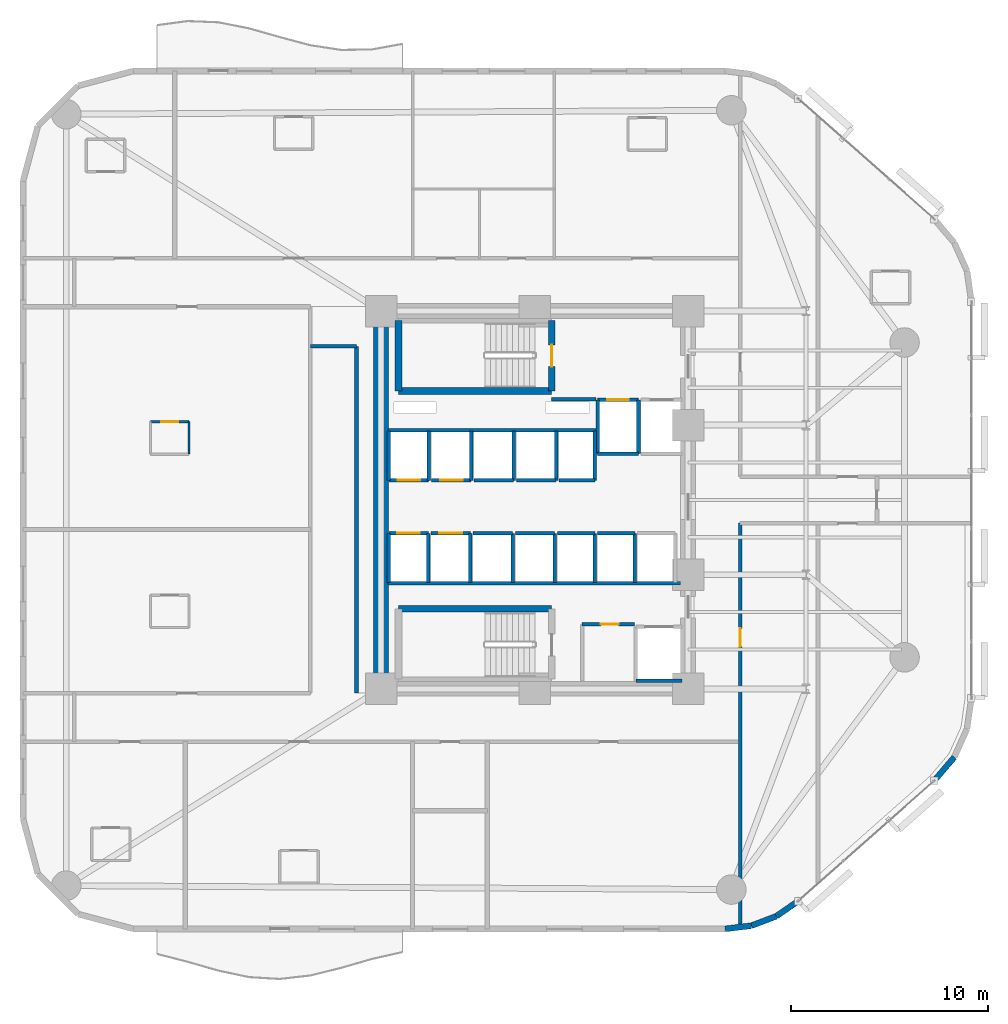
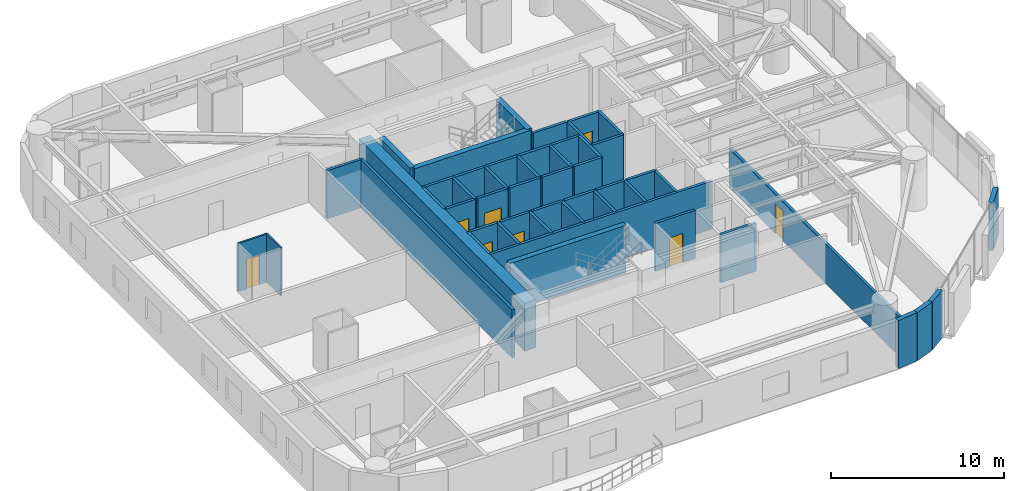
# One storey, part 11 of 16: 47 walls, 9 doors, 9 openings.
"""IFC4 building model written with IfcOpenShell, lengths in metres."""

import ifcopenshell
import ifcopenshell.guid

model = None  # the IFC model being written
_history = None  # IfcOwnerHistory: only IFC2X3 demands one
_inside = {}  # id of a spatial element -> (the spatial element, [elements in it])
_under = {}  # id of a project, library or spatial element -> (it, [spatial elements below it])
_declared = {}  # id of a project -> (the project, [libraries it declares])
_typed = {}  # id of a type object -> (the type object, [elements of that type])
_made_of = {}  # id of a material, layer set ... -> (it, [elements and type objects made of it])


def new_model(schema):
    """Start an empty IFC model of exactly this schema.

    Asked for "IFC4X3", IfcOpenShell would pick the latest addendum, in which some entities
    have other attributes; the version numbers below select the first issue.
    IFC2X3 requires an IfcOwnerHistory on every rooted entity: one is made here for all.
    """
    global model, _history
    if schema == "IFC4X3":
        model = ifcopenshell.file(schema_version=(4, 3, 0, 0))
    else:
        model = ifcopenshell.file(schema=schema)
    _inside.clear()
    _under.clear()
    _declared.clear()
    _typed.clear()
    _made_of.clear()
    _history = None
    if model.schema == "IFC2X3":
        org = make("IfcOrganization", Name="unknown")
        user = make(
            "IfcPersonAndOrganization",
            ThePerson=make("IfcPerson", FamilyName="unknown"),
            TheOrganization=org,
        )
        app = make(
            "IfcApplication",
            ApplicationDeveloper=org,
            Version="unknown",
            ApplicationFullName="unknown",
            ApplicationIdentifier="unknown",
        )
        _history = make(
            "IfcOwnerHistory",
            OwningUser=user,
            OwningApplication=app,
            ChangeAction="ADDED",
            CreationDate=0,
        )
    return model


def make(cls, **values):
    """One entity of the class cls with the attributes given. An attribute that is None is left unset."""
    return model.create_entity(
        cls, **{name: value for name, value in values.items() if value is not None}
    )


def rooted(cls, **values):
    """An entity with a GlobalId (a new one), such as an element, a storey or a relation."""
    return make(cls, GlobalId=ifcopenshell.guid.new(), OwnerHistory=_history, **values)


def si_unit(unit_type, name, prefix=None):
    """IfcSIUnit, for example si_unit("LENGTHUNIT", "METRE", prefix="MILLI")."""
    return make("IfcSIUnit", UnitType=unit_type, Prefix=prefix, Name=name)


def assignment(units):
    """IfcUnitAssignment: the units of a project."""
    return None if units is None else make("IfcUnitAssignment", Units=units)


def point(xyz):
    """IfcCartesianPoint."""
    return None if xyz is None else make("IfcCartesianPoint", Coordinates=xyz)


def direction(xyz):
    """IfcDirection."""
    return None if xyz is None else make("IfcDirection", DirectionRatios=xyz)


def frame(location, z_axis=None, x_axis=None):
    """IfcAxis2Placement3D, a coordinate frame: its origin and axes. An axis left out is left unset."""
    return make(
        "IfcAxis2Placement3D",
        Location=point(location),
        Axis=direction(z_axis),
        RefDirection=direction(x_axis),
    )


def frame_2d(location, x_axis=None):
    """IfcAxis2Placement2D, a coordinate frame in the plane: its origin and x axis."""
    return make(
        "IfcAxis2Placement2D", Location=point(location), RefDirection=direction(x_axis)
    )


def origin():
    """The frame at (0, 0, 0) with its axes left unset."""
    return frame((0.0, 0.0, 0.0))


def place(relative_to, where):
    """IfcLocalPlacement: puts the frame where relative to a parent placement (None: the world)."""
    return make(
        "IfcLocalPlacement", PlacementRelTo=relative_to, RelativePlacement=where
    )


def context(
    kind, dimensions, precision=None, world=None, true_north=None, identifier=None
):
    """IfcGeometricRepresentationContext, for example the 3D "Model" context."""
    return make(
        "IfcGeometricRepresentationContext",
        ContextIdentifier=identifier,
        ContextType=kind,
        CoordinateSpaceDimension=dimensions,
        Precision=precision,
        WorldCoordinateSystem=world,
        TrueNorth=true_north,
    )


def subcontext(parent, identifier, kind, view, scale=None):
    """IfcGeometricRepresentationSubContext, for example "Body" below "Model"."""
    return make(
        "IfcGeometricRepresentationSubContext",
        ContextIdentifier=identifier,
        ContextType=kind,
        ParentContext=parent,
        TargetScale=scale,
        TargetView=view,
    )


def project(units=None, contexts=None):
    """IfcProject with its units and contexts."""
    return rooted(
        "IfcProject",
        Name="project",
        RepresentationContexts=contexts,
        UnitsInContext=assignment(units),
    )


def spatial(cls, under=None, at=None, **own):
    """A site, building, storey or space (cls), placed at a placement, below another one or the project."""
    s = rooted(cls, ObjectPlacement=at, **own)
    if under is not None:
        _under.setdefault(under.id(), (under, []))[1].append(s)
    return s


def profile(cls, at=None, kind="AREA", **sizes):
    """A parametric profile (cls). Its sizes go by their IFC names, for example OverallWidth=200.0."""
    return make(cls, ProfileType=kind, Position=at, **sizes)


def rectangle(**sizes):
    """IfcRectangleProfileDef."""
    return profile("IfcRectangleProfileDef", **sizes)


def extrude(swept, where, along, depth):
    """IfcExtrudedAreaSolid: the profile swept, set in the frame where, extruded along a direction by depth."""
    return make(
        "IfcExtrudedAreaSolid",
        SweptArea=swept,
        Position=where,
        ExtrudedDirection=direction(along),
        Depth=depth,
    )


def shape(context_of_items, identifier, shape_type, items):
    """IfcShapeRepresentation: the items that make up one representation, for example the "Body"."""
    return make(
        "IfcShapeRepresentation",
        ContextOfItems=context_of_items,
        RepresentationIdentifier=identifier,
        RepresentationType=shape_type,
        Items=items,
    )


def material(Name=None, Category=None):
    """IfcMaterial."""
    return make("IfcMaterial", Name=Name, Category=Category)


def layer(
    of_material, thickness, ventilated=None, Name=None, Category=None, Priority=None
):
    """IfcMaterialLayer: one layer of a wall or slab, of a material (None: an air gap)."""
    return make(
        "IfcMaterialLayer",
        Material=of_material,
        LayerThickness=thickness,
        IsVentilated=ventilated,
        Name=Name,
        Category=Category,
        Priority=Priority,
    )


def layer_set(layers, Name=None):
    """IfcMaterialLayerSet."""
    return make("IfcMaterialLayerSet", MaterialLayers=layers, LayerSetName=Name)


def made_of(thing, what):
    """Note that an element or type object is made of a material, layer set ...; save() writes the relation."""
    if what is not None:
        _made_of.setdefault(what.id(), (what, []))[1].append(thing)
    return thing


def type_object(cls, material=None, **own):
    """A type object (cls), such as IfcWallType, which elements share."""
    return made_of(rooted(cls, **own), material)


def element(
    cls,
    number,
    at=None,
    inside=None,
    cuts=None,
    type_object=None,
    material=None,
    context=None,
    identifier="Body",
    shape_type=None,
    held_by="IfcProductDefinitionShape",
    body=None,
    shapes=None,
    **own,
):
    """One element of the class cls, such as IfcWall. Its Tag is "e" and its number.

    at: its placement. inside: the storey or other place that contains it. cuts: it is an
    opening in that element (IfcRelVoidsElement). A single representation is given by context,
    identifier, shape_type and body (its items); several are given by shapes. held_by: the class
    of the entity that holds the representations. save() writes the other relations.
    """
    e = rooted(cls, Tag="e%d" % number, ObjectPlacement=at, **own)
    if body is not None:
        shapes = [shape(context, identifier, shape_type, body)]
    if shapes is not None:
        e.Representation = make(held_by, Representations=shapes)
    if inside is not None:
        _inside.setdefault(inside.id(), (inside, []))[1].append(e)
    if cuts is not None:
        rooted(
            "IfcRelVoidsElement", RelatingBuildingElement=cuts, RelatedOpeningElement=e
        )
    if type_object is not None:
        _typed.setdefault(type_object.id(), (type_object, []))[1].append(e)
    return made_of(e, material)


def fill(opening, filler):
    """IfcRelFillsElement: the door or window that sits in an opening."""
    return rooted(
        "IfcRelFillsElement",
        RelatingOpeningElement=opening,
        RelatedBuildingElement=filler,
    )


def aggregate(whole, parts):
    """IfcRelAggregates: a whole, such as a stair, and the parts it consists of."""
    return rooted("IfcRelAggregates", RelatingObject=whole, RelatedObjects=parts)


def save(model, path):
    """Write the relations noted so far, then the file.

    IfcRelAggregates (storeys below a building ...), IfcRelContainedInSpatialStructure (elements
    in a storey), IfcRelDefinesByType, IfcRelAssociatesMaterial and IfcRelDeclares: one each for
    every whole, place, type object, material and project.
    """
    for whole, parts in _under.values():
        aggregate(whole, parts)
    for where, things in _inside.values():
        rooted(
            "IfcRelContainedInSpatialStructure",
            RelatedElements=things,
            RelatingStructure=where,
        )
    for kind, things in _typed.values():
        rooted("IfcRelDefinesByType", RelatedObjects=things, RelatingType=kind)
    for what, things in _made_of.values():
        rooted("IfcRelAssociatesMaterial", RelatedObjects=things, RelatingMaterial=what)
    for by, libraries in _declared.values():
        rooted("IfcRelDeclares", RelatingContext=by, RelatedDefinitions=libraries)
    model.write(path)


model = new_model("IFC4")

# Units and contexts
model_context = context("Model", 3, precision=1e-05, world=origin(), true_north=direction((0.0, 1.0)))
body_context = subcontext(model_context, "Body", "Model", "MODEL_VIEW")
ifc_project = project(units=[si_unit("LENGTHUNIT", "METRE"), si_unit("AREAUNIT", "SQUARE_METRE"), si_unit("VOLUMEUNIT", "CUBIC_METRE"), si_unit("PLANEANGLEUNIT", "RADIAN"), si_unit("MASSUNIT", "GRAM", prefix="KILO")], contexts=[model_context])

# Site, building, storey
site_placement = place(None, origin())
site = spatial("IfcSite", under=ifc_project, at=site_placement, CompositionType="ELEMENT")
building_placement = place(site_placement, origin())
building = spatial("IfcBuilding", under=site, at=building_placement, Name="An Khanh Terracotta Commons", CompositionType="ELEMENT")
storey_placement = place(building_placement, frame((0.0, 0.0, 28.800048828125)))
storey = spatial("IfcBuildingStorey", under=building, at=storey_placement, Name="L07", CompositionType="ELEMENT", Elevation=28.800048828125)

# Walls
ifc_material_1 = material(Name="Concrete C70/85", Category="concrete")
ifc_layer_1 = layer(ifc_material_1, 0.75, Name="Concrete C70/85")
ifc_layer_set_1 = layer_set([ifc_layer_1], Name="Concrete C70/85")
wall_type_1 = type_object("IfcWallType", Name="WALL-CORE-750", PredefinedType="SHEAR", material=ifc_layer_set_1)
wall_1_placement = place(storey_placement, frame((21.60009765625, 14.39990234375, 0.0), z_axis=(0.0, 0.0, 1.0), x_axis=(0.0, 1.0, 0.0)))
element("IfcWall", 1, at=wall_1_placement, inside=storey, type_object=wall_type_1, Name="L07 Core Wall CWALL-L07-W", PredefinedType="SHEAR", context=body_context, shape_type="SweptSolid", body=[
    extrude(rectangle(XDim=19.2001953125, YDim=0.75, at=frame_2d((9.60009765625, 0.0))), origin(), (0.0, 0.0, 1.0), 3.39990234375),
])
ifc_material_2 = material(Name="Fire-Rated Gypsum Board on Steel Stud", Category="steel")
ifc_layer_2 = layer(ifc_material_2, 0.179931640625, Name="Fire-Rated Gypsum Board on Steel Stud")
ifc_layer_set_2 = layer_set([ifc_layer_2], Name="Fire-Rated Gypsum Board on Steel Stud")
wall_type_2 = type_object("IfcWallType", Name="WALL-CORR-180", PredefinedType="PARTITIONING", material=ifc_layer_set_2)
wall_2_placement = place(storey_placement, frame((30.27001953125, 29.1201171875, 0.0), z_axis=(0.0, 0.0, 1.0), x_axis=(1.0, 0.0, 0.0)))
element("IfcWall", 2, at=wall_2_placement, inside=storey, type_object=wall_type_2, Name="L07 Core Wall FFLW-L07-S", PredefinedType="PARTITIONING", context=body_context, shape_type="SweptSolid", body=[
    extrude(rectangle(XDim=2.239990234375, YDim=0.179931640625, at=frame_2d((1.1201171875, 0.0))), origin(), (0.0, 0.0, 1.0), 3.39990234375),
])
wall_3_placement = place(storey_placement, frame((21.949951171875, 27.5400390625, 0.0), z_axis=(0.0, 0.0, 1.0), x_axis=(1.0, 0.0, 0.0)))
element("IfcWall", 3, at=wall_3_placement, inside=storey, type_object=wall_type_2, Name="L07 Core Wall RSRW-L07-S", PredefinedType="PARTITIONING", context=body_context, shape_type="SweptSolid", body=[
    extrude(rectangle(XDim=10.56005859375, YDim=0.179931640625, at=frame_2d((5.280029296875, 0.0))), origin(), (0.0, 0.0, 1.0), 3.39990234375),
])
wall_4_placement = place(storey_placement, frame((21.949951171875, 19.760009765625, 0.0), z_axis=(0.0, 0.0, 1.0), x_axis=(1.0, 0.0, 0.0)))
element("IfcWall", 4, at=wall_4_placement, inside=storey, type_object=wall_type_2, Name="L07 Core Wall SVW-L07-N", PredefinedType="PARTITIONING", context=body_context, shape_type="SweptSolid", body=[
    extrude(rectangle(XDim=14.8701171875, YDim=0.179931640625, at=frame_2d((7.43505859375, 0.0))), origin(), (0.0, 0.0, 1.0), 3.39990234375),
])

# Wall, opening, door
wall_5_placement = place(storey_placement, frame((31.820068359375, 17.679931640625, 0.0), z_axis=(0.0, 0.0, 1.0), x_axis=(1.0, 0.0, 0.0)))
wall_5 = element("IfcWall", 5, at=wall_5_placement, inside=storey, type_object=wall_type_2, Name="L07 Core Wall SSVCW-L07-N", PredefinedType="PARTITIONING", context=body_context, shape_type="SweptSolid", body=[
    extrude(rectangle(XDim=2.659912109375, YDim=0.179931640625, at=frame_2d((1.330078125, 0.0))), origin(), (0.0, 0.0, 1.0), 3.39990234375),
])
opening_1_placement = place(wall_5_placement, frame((0.949951171875, 0.0, 0.0)))
opening_1 = element("IfcOpeningElement", 6, at=opening_1_placement, cuts=wall_5, Name="Opening D-SV", PredefinedType="OPENING", context=body_context, shape_type="SweptSolid", body=[
    extrude(rectangle(XDim=0.89990234375, YDim=2.050048828125, at=frame_2d((0.449951171875, 1.02490234375))), frame((0.0, 0.099853515625, 0.0), z_axis=(0.0, -1.0, 0.0), x_axis=(1.0, 0.0, 0.0)), (0.0, 0.0, 1.0), 0.199951171875),
])
ifc_material_3 = material(Name="Fire-Rated Powder-Coated Steel Door", Category="steel")
door_type_1 = type_object("IfcDoorType", Name="DOOR-SERV-900", OperationType="NOTDEFINED", PredefinedType="DOOR", material=ifc_material_3)
door_1_placement = place(opening_1_placement, origin())
door_1 = element("IfcDoor", 7, at=door_1_placement, inside=storey, type_object=door_type_1, Name="L07 Electrical Switch Cupboard Door", OperationType="SINGLE_SWING_RIGHT", OverallHeight=2.050048828125, OverallWidth=0.89990234375, PredefinedType="DOOR", context=body_context, shape_type="SweptSolid", body=[
    extrude(rectangle(XDim=0.89990234375, YDim=2.050048828125, at=frame_2d((0.449951171875, 1.02490234375))), frame((0.0, 0.02490234375, 0.0), z_axis=(0.0, -1.0, 0.0), x_axis=(1.0, 0.0, 0.0)), (0.0, 0.0, 1.0), 0.050048828125),
])
fill(opening_1, door_1)

wall_6_placement = place(storey_placement, frame((32.60009765625, 29.080078125, 0.0), z_axis=(0.0, 0.0, 1.0), x_axis=(1.0, 0.0, 0.0)))
wall_6 = element("IfcWall", 8, at=wall_6_placement, inside=storey, type_object=wall_type_2, Name="L07 Core Wall LSH-L07-FFL-01-N", PredefinedType="PARTITIONING", context=body_context, shape_type="SweptSolid", body=[
    extrude(rectangle(XDim=2.079833984375, YDim=0.179931640625, at=frame_2d((1.0400390625, 0.0))), origin(), (0.0, 0.0, 1.0), 3.39990234375),
])
opening_2_placement = place(wall_6_placement, frame((0.489990234375, 0.0, 0.0)))
opening_2 = element("IfcOpeningElement", 9, at=opening_2_placement, cuts=wall_6, Name="Opening LD-FFL-01-L07", PredefinedType="OPENING", context=body_context, shape_type="SweptSolid", body=[
    extrude(rectangle(XDim=1.10009765625, YDim=2.199951171875, at=frame_2d((0.550048828125, 1.10009765625))), frame((0.0, 0.099853515625, 0.0), z_axis=(0.0, -1.0, 0.0), x_axis=(1.0, 0.0, 0.0)), (0.0, 0.0, 1.0), 0.199951171875),
])
ifc_material_4 = material(Name="Brushed Stainless Steel Fire Landing Door", Category="steel")
door_type_2 = type_object("IfcDoorType", Name="DOOR-LD-FFL-1100", OperationType="NOTDEFINED", PredefinedType="DOOR", material=ifc_material_4)
door_2_placement = place(opening_2_placement, origin())
door_2 = element("IfcDoor", 10, at=door_2_placement, inside=storey, type_object=door_type_2, Name="L07 Lift FFL-01 Sliding Landing Door", OperationType="DOUBLE_DOOR_SLIDING", OverallHeight=2.199951171875, OverallWidth=1.10009765625, PredefinedType="DOOR", context=body_context, shape_type="SweptSolid", body=[
    extrude(rectangle(XDim=1.10009765625, YDim=2.199951171875, at=frame_2d((0.550048828125, 1.10009765625))), frame((0.0, 0.02490234375, 0.0), z_axis=(0.0, -1.0, 0.0), x_axis=(1.0, 0.0, 0.0)), (0.0, 0.0, 1.0), 0.050048828125),
])
fill(opening_2, door_2)

# Walls
wall_7_placement = place(storey_placement, frame((34.679931640625, 26.35009765625, 0.0), z_axis=(0.0, 0.0, 1.0), x_axis=(-1.0, 0.0, 0.0)))
element("IfcWall", 11, at=wall_7_placement, inside=storey, type_object=wall_type_2, Name="L07 Core Wall LSH-L07-FFL-01-S", PredefinedType="PARTITIONING", context=body_context, shape_type="SweptSolid", body=[
    extrude(rectangle(XDim=2.079833984375, YDim=0.179931640625, at=frame_2d((1.0400390625, 0.0))), origin(), (0.0, 0.0, 1.0), 3.39990234375),
])
for number, where, z_axis, x_axis, name in (
    (12, (34.679931640625, 26.35009765625, 0.0), (0.0, 0.0, 1.0), (0.0, 1.0, 0.0), "L07 Core Wall LSH-L07-FFL-01-E"),
    (13, (32.60009765625, 29.080078125, 0.0), (0.0, 0.0, 1.0), (0.0, -1.0, 0.0), "L07 Core Wall LSH-L07-FFL-01-W"),
):
    element("IfcWall", number, at=place(storey_placement, frame(where, z_axis=z_axis, x_axis=x_axis)), inside=storey, type_object=wall_type_2, Name=name, PredefinedType="PARTITIONING", context=body_context, shape_type="SweptSolid", body=[
        extrude(rectangle(XDim=2.72998046875, YDim=0.179931640625, at=frame_2d((1.364990234375, 0.0))), origin(), (0.0, 0.0, 1.0), 3.39990234375),
    ])
wall_8_placement = place(storey_placement, frame((36.89990234375, 14.800048828125, 0.0), z_axis=(0.0, 0.0, 1.0), x_axis=(-1.0, 0.0, 0.0)))
element("IfcWall", 14, at=wall_8_placement, inside=storey, type_object=wall_type_2, Name="L07 Core Wall LSH-L07-SVL-01-S", PredefinedType="PARTITIONING", context=body_context, shape_type="SweptSolid", body=[
    extrude(rectangle(XDim=2.349853515625, YDim=0.179931640625, at=frame_2d((1.1748046875, 0.0))), origin(), (0.0, 0.0, 1.0), 3.39990234375),
])

# Wall, opening, door
wall_9_placement = place(storey_placement, frame((24.02001953125, 25.0, 0.0), z_axis=(0.0, 0.0, 1.0), x_axis=(-1.0, 0.0, 0.0)))
wall_9 = element("IfcWall", 15, at=wall_9_placement, inside=storey, type_object=wall_type_2, Name="L07 Core Wall LSH-L07-PL-L1-S", PredefinedType="PARTITIONING", context=body_context, shape_type="SweptSolid", body=[
    extrude(rectangle(XDim=2.02001953125, YDim=0.179931640625, at=frame_2d((1.010009765625, 0.0))), origin(), (0.0, 0.0, 1.0), 3.39990234375),
])
opening_3_placement = place(wall_9_placement, frame((0.43505859375, 0.0, 0.0)))
opening_3 = element("IfcOpeningElement", 16, at=opening_3_placement, cuts=wall_9, Name="Opening LD-PL-L1-L07", PredefinedType="OPENING", context=body_context, shape_type="SweptSolid", body=[
    extrude(rectangle(XDim=1.14990234375, YDim=2.199951171875, at=frame_2d((0.574951171875, 1.10009765625))), frame((0.0, 0.099853515625, 0.0), z_axis=(0.0, -1.0, 0.0), x_axis=(1.0, 0.0, 0.0)), (0.0, 0.0, 1.0), 0.199951171875),
])
ifc_material_5 = material(Name="Brushed Stainless Steel Passenger Landing Door", Category="steel")
door_type_3 = type_object("IfcDoorType", Name="DOOR-LD-PAX-1150", OperationType="NOTDEFINED", PredefinedType="DOOR", material=ifc_material_5)
door_3_placement = place(opening_3_placement, origin())
door_3 = element("IfcDoor", 17, at=door_3_placement, inside=storey, type_object=door_type_3, Name="L07 Lift PL-L1 Sliding Landing Door", OperationType="DOUBLE_DOOR_SLIDING", OverallHeight=2.199951171875, OverallWidth=1.14990234375, PredefinedType="DOOR", context=body_context, shape_type="SweptSolid", body=[
    extrude(rectangle(XDim=1.14990234375, YDim=2.199951171875, at=frame_2d((0.574951171875, 1.10009765625))), frame((0.0, 0.02490234375, 0.0), z_axis=(0.0, -1.0, 0.0), x_axis=(1.0, 0.0, 0.0)), (0.0, 0.0, 1.0), 0.050048828125),
])
fill(opening_3, door_3)

# Walls
for number, where, z_axis, x_axis, name in (
    (18, (24.02001953125, 25.0, 0.0), (0.0, 0.0, 1.0), (0.0, 1.0, 0.0), "L07 Core Wall LSH-L07-PL-L1-E"),
    (19, (22.0, 27.5, 0.0), (0.0, 0.0, 1.0), (0.0, -1.0, 0.0), "L07 Core Wall LSH-L07-PL-L1-W"),
):
    element("IfcWall", number, at=place(storey_placement, frame(where, z_axis=z_axis, x_axis=x_axis)), inside=storey, type_object=wall_type_2, Name=name, PredefinedType="PARTITIONING", context=body_context, shape_type="SweptSolid", body=[
        extrude(rectangle(XDim=2.5, YDim=0.179931640625, at=frame_2d((1.25, 0.0))), origin(), (0.0, 0.0, 1.0), 3.39990234375),
    ])

# Wall, opening, door
wall_10_placement = place(storey_placement, frame((26.179931640625, 25.0, 0.0), z_axis=(0.0, 0.0, 1.0), x_axis=(-1.0, 0.0, 0.0)))
wall_10 = element("IfcWall", 20, at=wall_10_placement, inside=storey, type_object=wall_type_2, Name="L07 Core Wall LSH-L07-PL-L2-S", PredefinedType="PARTITIONING", context=body_context, shape_type="SweptSolid", body=[
    extrude(rectangle(XDim=2.02001953125, YDim=0.179931640625, at=frame_2d((1.010009765625, 0.0))), origin(), (0.0, 0.0, 1.0), 3.39990234375),
])
opening_4_placement = place(wall_10_placement, frame((0.43505859375, 0.0, 0.0)))
opening_4 = element("IfcOpeningElement", 21, at=opening_4_placement, cuts=wall_10, Name="Opening LD-PL-L2-L07", PredefinedType="OPENING", context=body_context, shape_type="SweptSolid", body=[
    extrude(rectangle(XDim=1.14990234375, YDim=2.199951171875, at=frame_2d((0.574951171875, 1.10009765625))), frame((0.0, 0.099853515625, 0.0), z_axis=(0.0, -1.0, 0.0), x_axis=(1.0, 0.0, 0.0)), (0.0, 0.0, 1.0), 0.199951171875),
])
door_4_placement = place(opening_4_placement, origin())
door_4 = element("IfcDoor", 22, at=door_4_placement, inside=storey, type_object=door_type_3, Name="L07 Lift PL-L2 Sliding Landing Door", OperationType="DOUBLE_DOOR_SLIDING", OverallHeight=2.199951171875, OverallWidth=1.14990234375, PredefinedType="DOOR", context=body_context, shape_type="SweptSolid", body=[
    extrude(rectangle(XDim=1.14990234375, YDim=2.199951171875, at=frame_2d((0.574951171875, 1.10009765625))), frame((0.0, 0.02490234375, 0.0), z_axis=(0.0, -1.0, 0.0), x_axis=(1.0, 0.0, 0.0)), (0.0, 0.0, 1.0), 0.050048828125),
])
fill(opening_4, door_4)

# Wall
wall_11_placement = place(storey_placement, frame((26.179931640625, 25.0, 0.0), z_axis=(0.0, 0.0, 1.0), x_axis=(0.0, 1.0, 0.0)))
element("IfcWall", 23, at=wall_11_placement, inside=storey, type_object=wall_type_2, Name="L07 Core Wall LSH-L07-PL-L2-E", PredefinedType="PARTITIONING", context=body_context, shape_type="SweptSolid", body=[
    extrude(rectangle(XDim=2.5, YDim=0.179931640625, at=frame_2d((1.25, 0.0))), origin(), (0.0, 0.0, 1.0), 3.39990234375),
])

# Wall, opening, door
wall_12_placement = place(storey_placement, frame((22.0, 22.300048828125, 0.0), z_axis=(0.0, 0.0, 1.0), x_axis=(1.0, 0.0, 0.0)))
wall_12 = element("IfcWall", 24, at=wall_12_placement, inside=storey, type_object=wall_type_2, Name="L07 Core Wall LSH-L07-PL-L3-N", PredefinedType="PARTITIONING", context=body_context, shape_type="SweptSolid", body=[
    extrude(rectangle(XDim=2.0, YDim=0.179931640625, at=frame_2d((1.0, 0.0))), origin(), (0.0, 0.0, 1.0), 3.39990234375),
])
opening_5_placement = place(wall_12_placement, frame((0.425048828125, 0.0, 0.0)))
opening_5 = element("IfcOpeningElement", 25, at=opening_5_placement, cuts=wall_12, Name="Opening LD-PL-L3-L07", PredefinedType="OPENING", context=body_context, shape_type="SweptSolid", body=[
    extrude(rectangle(XDim=1.14990234375, YDim=2.199951171875, at=frame_2d((0.574951171875, 1.10009765625))), frame((0.0, 0.099853515625, 0.0), z_axis=(0.0, -1.0, 0.0), x_axis=(1.0, 0.0, 0.0)), (0.0, 0.0, 1.0), 0.199951171875),
])
door_5_placement = place(opening_5_placement, origin())
door_5 = element("IfcDoor", 26, at=door_5_placement, inside=storey, type_object=door_type_3, Name="L07 Lift PL-L3 Sliding Landing Door", OperationType="DOUBLE_DOOR_SLIDING", OverallHeight=2.199951171875, OverallWidth=1.14990234375, PredefinedType="DOOR", context=body_context, shape_type="SweptSolid", body=[
    extrude(rectangle(XDim=1.14990234375, YDim=2.199951171875, at=frame_2d((0.574951171875, 1.10009765625))), frame((0.0, 0.02490234375, 0.0), z_axis=(0.0, -1.0, 0.0), x_axis=(1.0, 0.0, 0.0)), (0.0, 0.0, 1.0), 0.050048828125),
])
fill(opening_5, door_5)

# Walls
for number, where, z_axis, x_axis, name in (
    (27, (24.0, 19.800048828125, 0.0), (0.0, 0.0, 1.0), (0.0, 1.0, 0.0), "L07 Core Wall LSH-L07-PL-L3-E"),
    (28, (22.0, 22.300048828125, 0.0), (0.0, 0.0, 1.0), (0.0, -1.0, 0.0), "L07 Core Wall LSH-L07-PL-L3-W"),
):
    element("IfcWall", number, at=place(storey_placement, frame(where, z_axis=z_axis, x_axis=x_axis)), inside=storey, type_object=wall_type_2, Name=name, PredefinedType="PARTITIONING", context=body_context, shape_type="SweptSolid", body=[
        extrude(rectangle(XDim=2.5, YDim=0.179931640625, at=frame_2d((1.25, 0.0))), origin(), (0.0, 0.0, 1.0), 3.39990234375),
    ])

# Wall, opening, door
wall_13_placement = place(storey_placement, frame((24.139892578125, 22.300048828125, 0.0), z_axis=(0.0, 0.0, 1.0), x_axis=(1.0, 0.0, 0.0)))
wall_13 = element("IfcWall", 29, at=wall_13_placement, inside=storey, type_object=wall_type_2, Name="L07 Core Wall LSH-L07-PL-L4-N", PredefinedType="PARTITIONING", context=body_context, shape_type="SweptSolid", body=[
    extrude(rectangle(XDim=2.0, YDim=0.179931640625, at=frame_2d((1.0, 0.0))), origin(), (0.0, 0.0, 1.0), 3.39990234375),
])
opening_6_placement = place(wall_13_placement, frame((0.425048828125, 0.0, 0.0)))
opening_6 = element("IfcOpeningElement", 30, at=opening_6_placement, cuts=wall_13, Name="Opening LD-PL-L4-L07", PredefinedType="OPENING", context=body_context, shape_type="SweptSolid", body=[
    extrude(rectangle(XDim=1.14990234375, YDim=2.199951171875, at=frame_2d((0.574951171875, 1.10009765625))), frame((0.0, 0.099853515625, 0.0), z_axis=(0.0, -1.0, 0.0), x_axis=(1.0, 0.0, 0.0)), (0.0, 0.0, 1.0), 0.199951171875),
])
door_6_placement = place(opening_6_placement, origin())
door_6 = element("IfcDoor", 31, at=door_6_placement, inside=storey, type_object=door_type_3, Name="L07 Lift PL-L4 Sliding Landing Door", OperationType="DOUBLE_DOOR_SLIDING", OverallHeight=2.199951171875, OverallWidth=1.14990234375, PredefinedType="DOOR", context=body_context, shape_type="SweptSolid", body=[
    extrude(rectangle(XDim=1.14990234375, YDim=2.199951171875, at=frame_2d((0.574951171875, 1.10009765625))), frame((0.0, 0.02490234375, 0.0), z_axis=(0.0, -1.0, 0.0), x_axis=(1.0, 0.0, 0.0)), (0.0, 0.0, 1.0), 0.050048828125),
])
fill(opening_6, door_6)

# Walls
wall_14_placement = place(storey_placement, frame((26.139892578125, 19.800048828125, 0.0), z_axis=(0.0, 0.0, 1.0), x_axis=(0.0, 1.0, 0.0)))
element("IfcWall", 32, at=wall_14_placement, inside=storey, type_object=wall_type_2, Name="L07 Core Wall LSH-L07-PL-L4-E", PredefinedType="PARTITIONING", context=body_context, shape_type="SweptSolid", body=[
    extrude(rectangle(XDim=2.5, YDim=0.179931640625, at=frame_2d((1.25, 0.0))), origin(), (0.0, 0.0, 1.0), 3.39990234375),
])
wall_15_placement = place(storey_placement, frame((28.340087890625, 25.0, 0.0), z_axis=(0.0, 0.0, 1.0), x_axis=(-1.0, 0.0, 0.0)))
element("IfcWall", 33, at=wall_15_placement, inside=storey, type_object=wall_type_2, Name="L07 Core Wall LSH-L07-PL-M1-S", PredefinedType="PARTITIONING", context=body_context, shape_type="SweptSolid", body=[
    extrude(rectangle(XDim=2.02001953125, YDim=0.179931640625, at=frame_2d((1.010009765625, 0.0))), origin(), (0.0, 0.0, 1.0), 3.39990234375),
])
wall_16_placement = place(storey_placement, frame((28.340087890625, 25.0, 0.0), z_axis=(0.0, 0.0, 1.0), x_axis=(0.0, 1.0, 0.0)))
element("IfcWall", 34, at=wall_16_placement, inside=storey, type_object=wall_type_2, Name="L07 Core Wall LSH-L07-PL-M1-E", PredefinedType="PARTITIONING", context=body_context, shape_type="SweptSolid", body=[
    extrude(rectangle(XDim=2.5, YDim=0.179931640625, at=frame_2d((1.25, 0.0))), origin(), (0.0, 0.0, 1.0), 3.39990234375),
])
wall_17_placement = place(storey_placement, frame((30.5, 25.0, 0.0), z_axis=(0.0, 0.0, 1.0), x_axis=(-1.0, 0.0, 0.0)))
element("IfcWall", 35, at=wall_17_placement, inside=storey, type_object=wall_type_2, Name="L07 Core Wall LSH-L07-PL-M2-S", PredefinedType="PARTITIONING", context=body_context, shape_type="SweptSolid", body=[
    extrude(rectangle(XDim=2.02001953125, YDim=0.179931640625, at=frame_2d((1.010009765625, 0.0))), origin(), (0.0, 0.0, 1.0), 3.39990234375),
])
wall_18_placement = place(storey_placement, frame((30.5, 25.0, 0.0), z_axis=(0.0, 0.0, 1.0), x_axis=(0.0, 1.0, 0.0)))
element("IfcWall", 36, at=wall_18_placement, inside=storey, type_object=wall_type_2, Name="L07 Core Wall LSH-L07-PL-M2-E", PredefinedType="PARTITIONING", context=body_context, shape_type="SweptSolid", body=[
    extrude(rectangle(XDim=2.5, YDim=0.179931640625, at=frame_2d((1.25, 0.0))), origin(), (0.0, 0.0, 1.0), 3.39990234375),
])
wall_19_placement = place(storey_placement, frame((26.280029296875, 22.300048828125, 0.0), z_axis=(0.0, 0.0, 1.0), x_axis=(1.0, 0.0, 0.0)))
element("IfcWall", 37, at=wall_19_placement, inside=storey, type_object=wall_type_2, Name="L07 Core Wall LSH-L07-PL-M3-N", PredefinedType="PARTITIONING", context=body_context, shape_type="SweptSolid", body=[
    extrude(rectangle(XDim=2.0, YDim=0.179931640625, at=frame_2d((1.0, 0.0))), origin(), (0.0, 0.0, 1.0), 3.39990234375),
])
wall_20_placement = place(storey_placement, frame((28.280029296875, 19.800048828125, 0.0), z_axis=(0.0, 0.0, 1.0), x_axis=(0.0, 1.0, 0.0)))
element("IfcWall", 38, at=wall_20_placement, inside=storey, type_object=wall_type_2, Name="L07 Core Wall LSH-L07-PL-M3-E", PredefinedType="PARTITIONING", context=body_context, shape_type="SweptSolid", body=[
    extrude(rectangle(XDim=2.5, YDim=0.179931640625, at=frame_2d((1.25, 0.0))), origin(), (0.0, 0.0, 1.0), 3.39990234375),
])
wall_21_placement = place(storey_placement, frame((28.419921875, 22.300048828125, 0.0), z_axis=(0.0, 0.0, 1.0), x_axis=(1.0, 0.0, 0.0)))
element("IfcWall", 39, at=wall_21_placement, inside=storey, type_object=wall_type_2, Name="L07 Core Wall LSH-L07-PL-M4-N", PredefinedType="PARTITIONING", context=body_context, shape_type="SweptSolid", body=[
    extrude(rectangle(XDim=2.0, YDim=0.179931640625, at=frame_2d((1.0, 0.0))), origin(), (0.0, 0.0, 1.0), 3.39990234375),
])
wall_22_placement = place(storey_placement, frame((30.419921875, 19.800048828125, 0.0), z_axis=(0.0, 0.0, 1.0), x_axis=(0.0, 1.0, 0.0)))
element("IfcWall", 40, at=wall_22_placement, inside=storey, type_object=wall_type_2, Name="L07 Core Wall LSH-L07-PL-M4-E", PredefinedType="PARTITIONING", context=body_context, shape_type="SweptSolid", body=[
    extrude(rectangle(XDim=2.5, YDim=0.179931640625, at=frame_2d((1.25, 0.0))), origin(), (0.0, 0.0, 1.0), 3.39990234375),
])
wall_23_placement = place(storey_placement, frame((32.4599609375, 25.0, 0.0), z_axis=(0.0, 0.0, 1.0), x_axis=(-1.0, 0.0, 0.0)))
element("IfcWall", 41, at=wall_23_placement, inside=storey, type_object=wall_type_2, Name="L07 Core Wall LSH-L07-PL-H1-S", PredefinedType="PARTITIONING", context=body_context, shape_type="SweptSolid", body=[
    extrude(rectangle(XDim=1.820068359375, YDim=0.179931640625, at=frame_2d((0.91015625, 0.0))), origin(), (0.0, 0.0, 1.0), 3.39990234375),
])
wall_24_placement = place(storey_placement, frame((32.4599609375, 25.0, 0.0), z_axis=(0.0, 0.0, 1.0), x_axis=(0.0, 1.0, 0.0)))
element("IfcWall", 42, at=wall_24_placement, inside=storey, type_object=wall_type_2, Name="L07 Core Wall LSH-L07-PL-H1-E", PredefinedType="PARTITIONING", context=body_context, shape_type="SweptSolid", body=[
    extrude(rectangle(XDim=2.5, YDim=0.179931640625, at=frame_2d((1.25, 0.0))), origin(), (0.0, 0.0, 1.0), 3.39990234375),
])
wall_25_placement = place(storey_placement, frame((30.56005859375, 22.300048828125, 0.0), z_axis=(0.0, 0.0, 1.0), x_axis=(1.0, 0.0, 0.0)))
element("IfcWall", 43, at=wall_25_placement, inside=storey, type_object=wall_type_2, Name="L07 Core Wall LSH-L07-PL-H2-N", PredefinedType="PARTITIONING", context=body_context, shape_type="SweptSolid", body=[
    extrude(rectangle(XDim=1.89990234375, YDim=0.179931640625, at=frame_2d((0.949951171875, 0.0))), origin(), (0.0, 0.0, 1.0), 3.39990234375),
])
wall_26_placement = place(storey_placement, frame((32.4599609375, 19.800048828125, 0.0), z_axis=(0.0, 0.0, 1.0), x_axis=(0.0, 1.0, 0.0)))
element("IfcWall", 44, at=wall_26_placement, inside=storey, type_object=wall_type_2, Name="L07 Core Wall LSH-L07-PL-H2-E", PredefinedType="PARTITIONING", context=body_context, shape_type="SweptSolid", body=[
    extrude(rectangle(XDim=2.5, YDim=0.179931640625, at=frame_2d((1.25, 0.0))), origin(), (0.0, 0.0, 1.0), 3.39990234375),
])
wall_27_placement = place(storey_placement, frame((32.60009765625, 22.300048828125, 0.0), z_axis=(0.0, 0.0, 1.0), x_axis=(1.0, 0.0, 0.0)))
element("IfcWall", 45, at=wall_27_placement, inside=storey, type_object=wall_type_2, Name="L07 Core Wall LSH-L07-PL-H3-N", PredefinedType="PARTITIONING", context=body_context, shape_type="SweptSolid", body=[
    extrude(rectangle(XDim=1.89990234375, YDim=0.179931640625, at=frame_2d((0.949951171875, 0.0))), origin(), (0.0, 0.0, 1.0), 3.39990234375),
])
wall_28_placement = place(storey_placement, frame((34.5, 19.800048828125, 0.0), z_axis=(0.0, 0.0, 1.0), x_axis=(0.0, 1.0, 0.0)))
element("IfcWall", 46, at=wall_28_placement, inside=storey, type_object=wall_type_2, Name="L07 Core Wall LSH-L07-PL-H3-E", PredefinedType="PARTITIONING", context=body_context, shape_type="SweptSolid", body=[
    extrude(rectangle(XDim=2.5, YDim=0.179931640625, at=frame_2d((1.25, 0.0))), origin(), (0.0, 0.0, 1.0), 3.39990234375),
])
wall_29_placement = place(storey_placement, frame((18.0, 31.800048828125, 0.0), z_axis=(0.0, 0.0, 1.0), x_axis=(1.0, 0.0, 0.0)))
element("IfcWall", 47, at=wall_29_placement, inside=storey, type_object=wall_type_2, Name="L07 Interior Partition IW-L07-E007", PredefinedType="PARTITIONING", context=body_context, shape_type="SweptSolid", body=[
    extrude(rectangle(XDim=2.35009765625, YDim=0.179931640625, at=frame_2d((1.175048828125, 0.0))), origin(), (0.0, 0.0, 1.0), 3.39990234375),
])
wall_30_placement = place(storey_placement, frame((20.35009765625, 14.179931640625, 0.0), z_axis=(0.0, 0.0, 1.0), x_axis=(0.0, 1.0, 0.0)))
element("IfcWall", 48, at=wall_30_placement, inside=storey, type_object=wall_type_2, Name="L07 Interior Partition IW-L07-E016", PredefinedType="PARTITIONING", context=body_context, shape_type="SweptSolid", body=[
    extrude(rectangle(XDim=17.6201171875, YDim=0.179931640625, at=frame_2d((8.81005859375, 0.0))), origin(), (0.0, 0.0, 1.0), 3.39990234375),
])

# Wall, opening, door
wall_31_placement = place(storey_placement, frame((39.85009765625, 2.29296875, 0.0), z_axis=(0.0, 0.0, 1.0), x_axis=(0.0, 1.0, 0.0)))
wall_31 = element("IfcWall", 49, at=wall_31_placement, inside=storey, type_object=wall_type_2, Name="L07 Interior Partition IW-L07-E022", PredefinedType="PARTITIONING", context=body_context, shape_type="SweptSolid", body=[
    extrude(rectangle(XDim=20.527099609375, YDim=0.179931640625, at=frame_2d((10.263671875, 0.0))), origin(), (0.0, 0.0, 1.0), 2.781982421875),
])
opening_7_placement = place(wall_31_placement, frame((14.257080078125, 0.0, 0.0)))
opening_7 = element("IfcOpeningElement", 50, at=opening_7_placement, cuts=wall_31, Name="Opening D-RM", PredefinedType="OPENING", context=body_context, shape_type="SweptSolid", body=[
    extrude(rectangle(XDim=0.919921875, YDim=2.10009765625, at=frame_2d((0.4599609375, 1.050048828125))), frame((0.0, 0.099853515625, 0.0), z_axis=(0.0, -1.0, 0.0), x_axis=(1.0, 0.0, 0.0)), (0.0, 0.0, 1.0), 0.199951171875),
])
ifc_material_6 = material(Name="Engineered Hardwood Timber Leaf", Category="wood")
door_type_4 = type_object("IfcDoorType", Name="DOOR-INT-920", OperationType="NOTDEFINED", PredefinedType="DOOR", material=ifc_material_6)
door_7_placement = place(opening_7_placement, origin())
door_7 = element("IfcDoor", 51, at=door_7_placement, inside=storey, type_object=door_type_4, Name="L07 SB1 Quiet Focus Office Door", OperationType="SINGLE_SWING_LEFT", OverallHeight=2.10009765625, OverallWidth=0.919921875, PredefinedType="DOOR", context=body_context, shape_type="SweptSolid", body=[
    extrude(rectangle(XDim=0.919921875, YDim=2.10009765625, at=frame_2d((0.4599609375, 1.050048828125))), frame((0.0, 0.02490234375, 0.0), z_axis=(0.0, -1.0, 0.0), x_axis=(1.0, 0.0, 0.0)), (0.0, 0.0, 1.0), 0.050048828125),
])
fill(opening_7, door_7)

# Walls
ifc_material_7 = material(Name="Precast concrete C40/50", Category="concrete")
ifc_layer_3 = layer(ifc_material_7, 0.300048828125, Name="Precast concrete C40/50")
ifc_layer_set_3 = layer_set([ifc_layer_3], Name="Precast concrete C40/50")
wall_type_3 = type_object("IfcWallType", Name="WALL-EXT-300", PredefinedType="SOLIDWALL", material=ifc_layer_set_3)
wall_32_placement = place(storey_placement, frame((39.0791015625, 2.199951171875, 0.0), z_axis=(0.0, 0.0, 1.0), x_axis=(0.992739027259, 0.120288086515, 0.0)))
element("IfcWall", 52, at=wall_32_placement, inside=storey, type_object=wall_type_3, Name="L07 Insulated Terracotta Exterior Wall 5", PredefinedType="SOLIDWALL", context=body_context, shape_type="SweptSolid", body=[
    extrude(rectangle(XDim=1.34765625, YDim=0.300048828125, at=frame_2d((0.673828125, 0.0))), origin(), (0.0, 0.0, 1.0), 3.39990234375),
])
wall_33_placement = place(storey_placement, frame((40.4169921875, 2.362060546875, 0.0), z_axis=(0.0, 0.0, 1.0), x_axis=(0.935156721165, 0.354234254216, 0.0)))
element("IfcWall", 53, at=wall_33_placement, inside=storey, type_object=wall_type_3, Name="L07 Insulated Terracotta Exterior Wall 6", PredefinedType="SOLIDWALL", context=body_context, shape_type="SweptSolid", body=[
    extrude(rectangle(XDim=1.349365234375, YDim=0.300048828125, at=frame_2d((0.6748046875, 0.0))), origin(), (0.0, 0.0, 1.0), 3.39990234375),
])
wall_34_placement = place(storey_placement, frame((41.678955078125, 2.840087890625, 0.0), z_axis=(0.0, 0.0, 1.0), x_axis=(0.823116500192, 0.567872544777, 0.0)))
element("IfcWall", 54, at=wall_34_placement, inside=storey, type_object=wall_type_3, Name="L07 Insulated Terracotta Exterior Wall 7", PredefinedType="SOLIDWALL", context=body_context, shape_type="SweptSolid", body=[
    extrude(rectangle(XDim=1.3486328125, YDim=0.300048828125, at=frame_2d((0.67431640625, 0.0))), origin(), (0.0, 0.0, 1.0), 3.39990234375),
])
wall_35_placement = place(storey_placement, frame((49.7099609375, 9.72802734375, 0.0), z_axis=(0.0, 0.0, 1.0), x_axis=(0.648389989909, 0.7613083613, 0.0)))
element("IfcWall", 55, at=wall_35_placement, inside=storey, type_object=wall_type_3, Name="L07 Insulated Terracotta Exterior Wall 9", PredefinedType="SOLIDWALL", context=body_context, shape_type="SweptSolid", body=[
    extrude(rectangle(XDim=1.576171875, YDim=0.300048828125, at=frame_2d((0.7880859375, 0.0))), origin(), (0.0, 0.0, 1.0), 3.39990234375),
])
ifc_material_8 = material(Name="Concrete C50/60", Category="concrete")
ifc_layer_4 = layer(ifc_material_8, 0.35009765625, Name="Concrete C50/60")
ifc_layer_set_4 = layer_set([ifc_layer_4], Name="Concrete C50/60")
wall_type_4 = type_object("IfcWallType", Name="WALL-SHAFT-350", PredefinedType="SOLIDWALL", material=ifc_layer_set_4)
wall_36_placement = place(storey_placement, frame((22.47998046875, 29.530029296875, 0.0), z_axis=(0.0, 0.0, 1.0), x_axis=(1.0, 0.0, 0.0)))
element("IfcWall", 56, at=wall_36_placement, inside=storey, type_object=wall_type_4, Name="L07 Core Wall STW-L07-N-S", PredefinedType="SOLIDWALL", context=body_context, shape_type="SweptSolid", body=[
    extrude(rectangle(XDim=7.7900390625, YDim=0.35009765625, at=frame_2d((3.89501953125, 0.0))), origin(), (0.0, 0.0, 1.0), 3.39990234375),
])
wall_37_placement = place(storey_placement, frame((22.47998046875, 29.530029296875, 0.0), z_axis=(0.0, 0.0, 1.0), x_axis=(0.0, 1.0, 0.0)))
element("IfcWall", 57, at=wall_37_placement, inside=storey, type_object=wall_type_4, Name="L07 Core Wall STW-L07-N-W", PredefinedType="SOLIDWALL", context=body_context, shape_type="SweptSolid", body=[
    extrude(rectangle(XDim=3.580078125, YDim=0.35009765625, at=frame_2d((1.7900390625, 0.0))), origin(), (0.0, 0.0, 1.0), 3.39990234375),
])

# Wall, opening, door
wall_38_placement = place(storey_placement, frame((30.27001953125, 29.530029296875, 0.0), z_axis=(0.0, 0.0, 1.0), x_axis=(0.0, 1.0, 0.0)))
wall_38 = element("IfcWall", 58, at=wall_38_placement, inside=storey, type_object=wall_type_4, Name="L07 Core Wall STW-L07-N-E", PredefinedType="SOLIDWALL", context=body_context, shape_type="SweptSolid", body=[
    extrude(rectangle(XDim=3.580078125, YDim=0.35009765625, at=frame_2d((1.7900390625, 0.0))), origin(), (0.0, 0.0, 1.0), 3.39990234375),
])
opening_8_placement = place(wall_38_placement, frame((1.25, 0.0, 0.0)))
opening_8 = element("IfcOpeningElement", 59, at=opening_8_placement, cuts=wall_38, Name="Opening D-ST", PredefinedType="OPENING", context=body_context, shape_type="SweptSolid", body=[
    extrude(rectangle(XDim=1.10009765625, YDim=2.14990234375, at=frame_2d((0.550048828125, 1.074951171875))), frame((0.0, 0.18505859375, 0.0), z_axis=(0.0, -1.0, 0.0), x_axis=(1.0, 0.0, 0.0)), (0.0, 0.0, 1.0), 0.3701171875),
])
ifc_material_9 = material(Name="Fire-Rated Steel Leaf and Frame", Category="steel")
door_type_5 = type_object("IfcDoorType", Name="DOOR-STAIR-1100", OperationType="NOTDEFINED", PredefinedType="DOOR", material=ifc_material_9)
door_8_placement = place(opening_8_placement, origin())
door_8 = element("IfcDoor", 60, at=door_8_placement, inside=storey, type_object=door_type_5, Name="L07 Stair ST-01 Fire Door", OperationType="SINGLE_SWING_RIGHT", OverallHeight=2.14990234375, OverallWidth=1.10009765625, PredefinedType="DOOR", context=body_context, shape_type="SweptSolid", body=[
    extrude(rectangle(XDim=1.10009765625, YDim=2.14990234375, at=frame_2d((0.550048828125, 1.074951171875))), frame((0.0, 0.02490234375, 0.0), z_axis=(0.0, -1.0, 0.0), x_axis=(1.0, 0.0, 0.0)), (0.0, 0.0, 1.0), 0.050048828125),
])
fill(opening_8, door_8)

# Wall
wall_39_placement = place(storey_placement, frame((22.47998046875, 18.469970703125, 0.0), z_axis=(0.0, 0.0, 1.0), x_axis=(1.0, 0.0, 0.0)))
element("IfcWall", 61, at=wall_39_placement, inside=storey, type_object=wall_type_4, Name="L07 Core Wall STW-L07-S-N", PredefinedType="SOLIDWALL", context=body_context, shape_type="SweptSolid", body=[
    extrude(rectangle(XDim=7.7900390625, YDim=0.35009765625, at=frame_2d((3.89501953125, 0.0))), origin(), (0.0, 0.0, 1.0), 3.39990234375),
])

# Wall, opening, door
ifc_material_10 = material(Name="Moisture-Resistant Cement Board Partition")
ifc_layer_5 = layer(ifc_material_10, 0.1201171875, Name="Moisture-Resistant Cement Board Partition")
ifc_layer_set_5 = layer_set([ifc_layer_5], Name="Moisture-Resistant Cement Board Partition")
wall_type_5 = type_object("IfcWallType", Name="WALL-WET-120", PredefinedType="PARTITIONING", material=ifc_layer_set_5)
wall_40_placement = place(storey_placement, frame((9.885009765625, 27.97509765625, 0.0), z_axis=(0.0, 0.0, 1.0), x_axis=(1.0, 0.0, 0.0)))
wall_40 = element("IfcWall", 62, at=wall_40_placement, inside=storey, type_object=wall_type_5, Name="L07 Interior Partition IW-L07-WW2-BN", PredefinedType="PARTITIONING", context=body_context, shape_type="SweptSolid", body=[
    extrude(rectangle(XDim=1.949951171875, YDim=0.1201171875, at=frame_2d((0.97509765625, 0.0))), origin(), (0.0, 0.0, 1.0), 3.39990234375),
])
opening_9_placement = place(wall_40_placement, frame((0.544921875, 0.0, 0.0)))
opening_9 = element("IfcOpeningElement", 63, at=opening_9_placement, cuts=wall_40, Name="Opening D-ENS", PredefinedType="OPENING", context=body_context, shape_type="SweptSolid", body=[
    extrude(rectangle(XDim=0.860107421875, YDim=2.10009765625, at=frame_2d((0.43017578125, 1.050048828125))), frame((0.0, 0.070068359375, 0.0), z_axis=(0.0, -1.0, 0.0), x_axis=(1.0, 0.0, 0.0)), (0.0, 0.0, 1.0), 0.14013671875),
])
ifc_material_11 = material(Name="Moisture-Resistant Hardwood Timber Leaf", Category="wood")
door_type_6 = type_object("IfcDoorType", Name="DOOR-BATH-860", OperationType="NOTDEFINED", PredefinedType="DOOR", material=ifc_material_11)
door_9_placement = place(opening_9_placement, origin())
door_9 = element("IfcDoor", 64, at=door_9_placement, inside=storey, type_object=door_type_6, Name="L07 Studio WW2 En-suite Door", OperationType="SINGLE_SWING_RIGHT", OverallHeight=2.10009765625, OverallWidth=0.860107421875, PredefinedType="DOOR", context=body_context, shape_type="SweptSolid", body=[
    extrude(rectangle(XDim=0.860107421875, YDim=2.10009765625, at=frame_2d((0.43017578125, 1.050048828125))), frame((0.0, 0.02490234375, 0.0), z_axis=(0.0, -1.0, 0.0), x_axis=(1.0, 0.0, 0.0)), (0.0, 0.0, 1.0), 0.050048828125),
])
fill(opening_9, door_9)

# Wall
wall_41_placement = place(storey_placement, frame((11.8349609375, 26.324951171875, 0.0), z_axis=(0.0, 0.0, 1.0), x_axis=(0.0, 1.0, 0.0)))
element("IfcWall", 65, at=wall_41_placement, inside=storey, type_object=wall_type_5, Name="L07 Interior Partition IW-L07-WW2-BE", PredefinedType="PARTITIONING", context=body_context, shape_type="SweptSolid", body=[
    extrude(rectangle(XDim=1.650146484375, YDim=0.1201171875, at=frame_2d((0.8251953125, 0.0))), origin(), (0.0, 0.0, 1.0), 3.39990234375),
])

save(model, "model.ifc")
